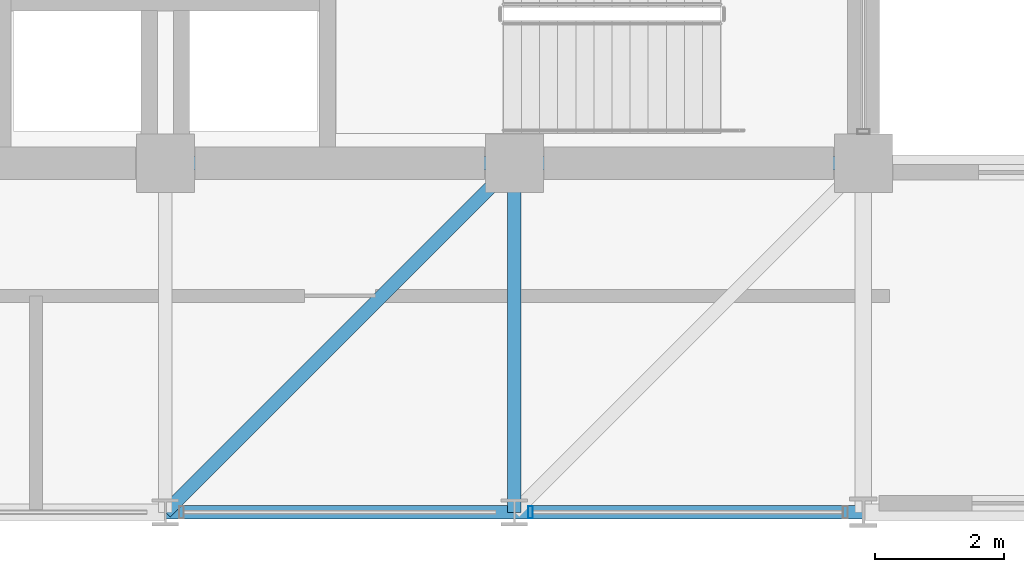
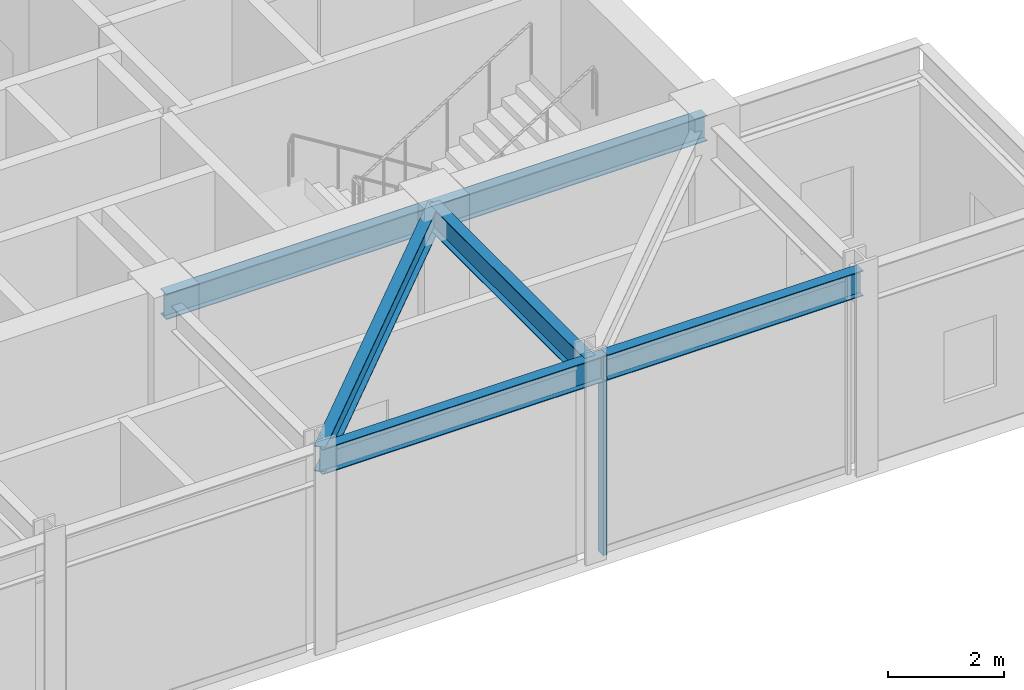
# One storey, part 5 of 22: 4 beams, 1 member, 1 element without a shape of its own.
"""IFC4 building model written with IfcOpenShell, lengths in metres."""

from ifc_helpers import new_model, si_unit, direction, frame, origin, origin_2d, place, context, subcontext, project, spatial, hollow_rectangle, i_section, extrude, material, layer, layer_set, material_profile, profile_set, type_object, element, aggregate, save


model = new_model("IFC4")

# Units and contexts
model_context = context("Model", 3, precision=1e-05, world=origin(), true_north=direction((0.0, 1.0)))
body_context = subcontext(model_context, "Body", "Model", "MODEL_VIEW")
ifc_project = project(units=[si_unit("LENGTHUNIT", "METRE"), si_unit("AREAUNIT", "SQUARE_METRE"), si_unit("VOLUMEUNIT", "CUBIC_METRE"), si_unit("PLANEANGLEUNIT", "RADIAN"), si_unit("MASSUNIT", "GRAM", prefix="KILO")], contexts=[model_context])

# Site, building, storey
site_placement = place(None, origin())
site = spatial("IfcSite", under=ifc_project, at=site_placement, CompositionType="ELEMENT")
building_placement = place(site_placement, origin())
building = spatial("IfcBuilding", under=site, at=building_placement, Name="Surkhivell Harbour Commons", CompositionType="ELEMENT")
storey_placement = place(building_placement, frame((0.0, 0.0, 342.0)))
storey = spatial("IfcBuildingStorey", under=building, at=storey_placement, Name="L89", CompositionType="ELEMENT", Elevation=342.0)

# Beams
ifc_material_1 = material(Name="Steel S355", Category="steel")
ifc_material_profile_1 = material_profile(ifc_material_1, i_section(OverallWidth=0.2099609375, OverallDepth=0.537109375, WebThickness=0.0107421875, FlangeThickness=0.017333984375, at=origin_2d()), Name="UB533x210x101")
ifc_profile_set_1 = profile_set([ifc_material_profile_1], Name="Steel S355")
beam_type = type_object("IfcBeamType", Name="BM-GRD-533B", PredefinedType="BEAM", material=ifc_profile_set_1)
for number, where, z_axis, x_axis, name in (
    (1, (0.0, -16.199951171875, 3.951416015625), (1.0, 0.0, 0.0), (0.0, 1.0, 0.0), "L89 Cantilever Back-Span Girder (0.0,-16.2)"),
    (2, (0.0, -10.800048828125, 3.951416015625), (1.0, 0.0, 0.0), (0.0, 1.0, 0.0), "L89 Cantilever Back-Span Girder (0.0,-10.8)"),
):
    element("IfcBeam", number, at=place(storey_placement, frame(where, z_axis=z_axis, x_axis=x_axis)), inside=storey, type_object=beam_type, Name=name, PredefinedType="BEAM", context=body_context, shape_type="SweptSolid", body=[
        extrude(i_section(OverallWidth=0.2099609375, OverallDepth=0.537109375, WebThickness=0.0107421875, FlangeThickness=0.017333984375, at=origin_2d()), origin(), (0.0, 0.0, 1.0), 10.800048828125),
    ])
beam_1_placement = place(storey_placement, frame((0.0, -16.199951171875, 3.951416015625), z_axis=(0.707106781187, 0.707106781187, 0.0), x_axis=(-0.707106781187, 0.707106781187, 0.0)))
element("IfcBeam", 3, at=beam_1_placement, inside=storey, type_object=beam_type, Name="L89 Floor Girder (0.0,-16.2)", PredefinedType="BEAM", context=body_context, shape_type="SweptSolid", body=[
    extrude(i_section(OverallWidth=0.2099609375, OverallDepth=0.537109375, WebThickness=0.0107421875, FlangeThickness=0.017333984375, at=origin_2d()), origin(), (0.0, 0.0, 1.0), 7.63671875),
])
beam_2_placement = place(storey_placement, frame((5.39990234375, -16.199951171875, 3.951416015625), z_axis=(0.0, 1.0, 0.0), x_axis=(-1.0, 0.0, 0.0)))
element("IfcBeam", 4, at=beam_2_placement, inside=storey, type_object=beam_type, Name="L89 Floor Girder (5.4,-16.2)", PredefinedType="BEAM", context=body_context, shape_type="SweptSolid", body=[
    extrude(i_section(OverallWidth=0.2099609375, OverallDepth=0.537109375, WebThickness=0.0107421875, FlangeThickness=0.017333984375, at=origin_2d()), origin(), (0.0, 0.0, 1.0), 5.39990234375),
])

# Curtain wall, member
ifc_material_2 = material(Name="Anodised pale-metal aluminium and insulated glazing", Category="aluminium")
ifc_layer = layer(ifc_material_2, 0.22998046875)
ifc_layer_set = layer_set([ifc_layer], Name="Anodised pale-metal aluminium and insulated glazing")
curtain_wall_type = type_object("IfcCurtainWallType", Name="CW-SYS-CRN", PredefinedType="NOTDEFINED", material=ifc_layer_set)
curtain_wall_placement = place(storey_placement, origin())
curtain_wall = element("IfcCurtainWall", 5, at=curtain_wall_placement, inside=storey, type_object=curtain_wall_type, Name="L89 Curtain Wall CW-L89-C03", PredefinedType="NOTDEFINED")
ifc_material_3 = material(Name="Anodised pale-metal aluminium alloy 6063-T6", Category="aluminium")
ifc_material_profile_2 = material_profile(ifc_material_3, hollow_rectangle(XDim=0.074951171875, YDim=0.18994140625, WallThickness=0.00390625, at=origin_2d()), Name="ALU-MULL-75x190")
ifc_profile_set_2 = profile_set([ifc_material_profile_2], Name="Anodised pale-metal aluminium alloy 6063-T6")
member_type = type_object("IfcMemberType", Name="CWM-190", PredefinedType="MULLION", material=ifc_profile_set_2)
member_placement = place(storey_placement, frame((5.6494140625, -16.199951171875, 0.0), z_axis=(0.0, 0.0, 1.0), x_axis=(1.0, 0.0, 0.0)))
member = element("IfcMember", 6, at=member_placement, type_object=member_type, Name="CW-CRN mullion 6", PredefinedType="MULLION", context=body_context, shape_type="SweptSolid", body=[
    extrude(hollow_rectangle(XDim=0.074951171875, YDim=0.18994140625, WallThickness=0.00390625, at=origin_2d()), origin(), (0.0, 0.0, 1.0), 4.219970703125),
])
aggregate(curtain_wall, [member])

save(model, "model.ifc")
